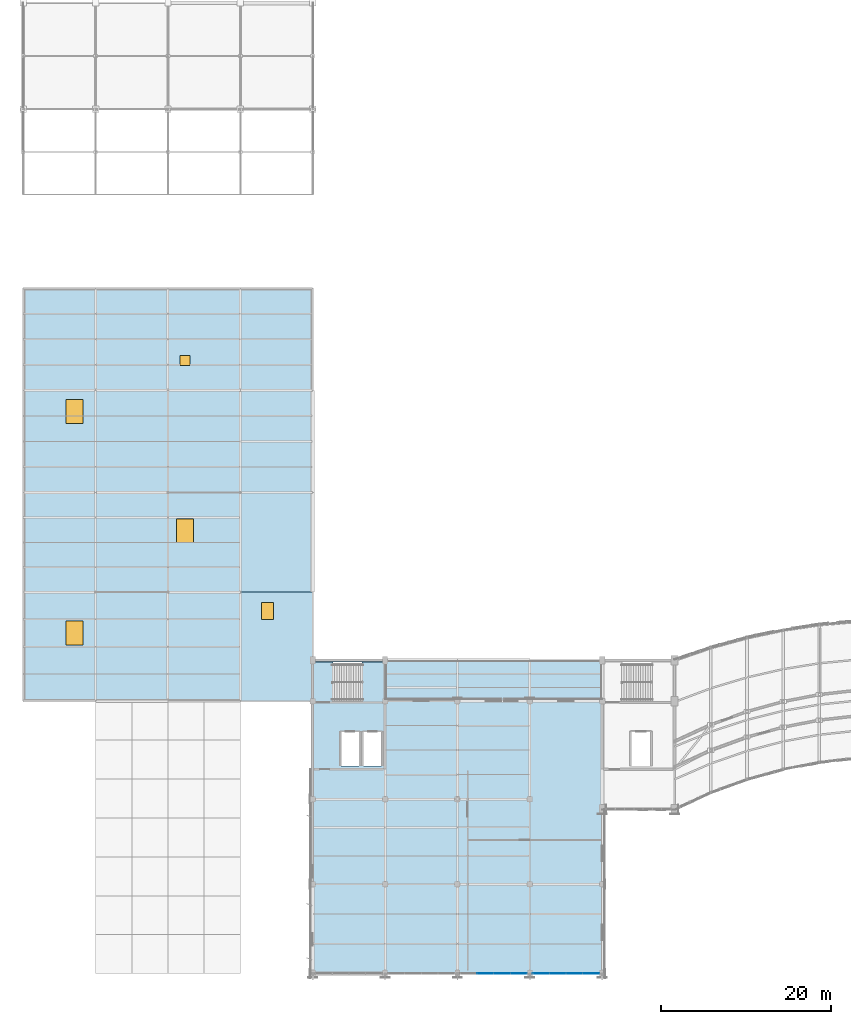
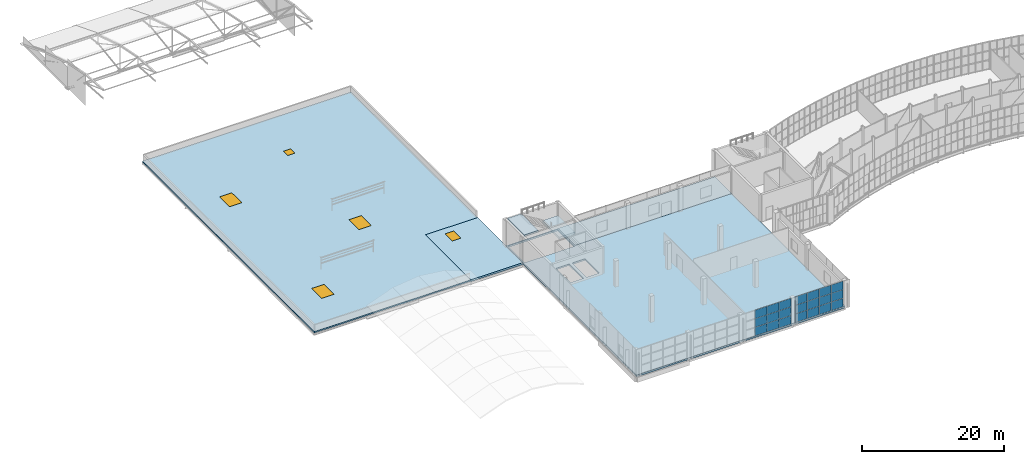
# One storey, part 41 of 66: 21 plates, 6 slabs, 5 windows, 5 openings, 3 elements without a shape of their own.
"""IFC4 building model written with IfcOpenShell, lengths in metres."""

from ifc_helpers import new_model, si_unit, direction, frame, origin, origin_2d, place, context, subcontext, project, spatial, polyline, rectangle, outline, extrude, material, layer, layer_set, type_object, element, fill, aggregate, save


model = new_model("IFC4")

# Units and contexts
model_context = context("Model", 3, precision=1e-05, world=origin(), true_north=direction((0.0, 1.0)))
body_context = subcontext(model_context, "Body", "Model", "MODEL_VIEW")
ifc_project = project(units=[si_unit("LENGTHUNIT", "METRE"), si_unit("AREAUNIT", "SQUARE_METRE"), si_unit("VOLUMEUNIT", "CUBIC_METRE"), si_unit("PLANEANGLEUNIT", "RADIAN"), si_unit("MASSUNIT", "GRAM", prefix="KILO")], contexts=[model_context])

# Site, building, storey
site_placement = place(None, origin())
site = spatial("IfcSite", under=ifc_project, at=site_placement, CompositionType="ELEMENT")
building_placement = place(site_placement, origin())
building = spatial("IfcBuilding", under=site, at=building_placement, Name="Solvikara Media Centre", CompositionType="ELEMENT")
storey_placement = place(building_placement, frame((0.0, 0.0, 19.800048828125)))
storey = spatial("IfcBuildingStorey", under=building, at=storey_placement, Name="L04", CompositionType="ELEMENT", Elevation=19.800048828125)

# Curtain wall, plates
ifc_material_1 = material(Name="Anodised aluminium EN AW-6063", Category="aluminium")
curtain_wall_type = type_object("IfcCurtainWallType", Name="CW-15", PredefinedType="NOTDEFINED", material=ifc_material_1)
curtain_wall_1_placement = place(storey_placement, origin())
curtain_wall_1 = element("IfcCurtainWall", 1, at=curtain_wall_1_placement, inside=storey, type_object=curtain_wall_type, Name="CW-L04-V6S-3", PredefinedType="NOTDEFINED")
ifc_material_2 = material(Name="Ceramic-fritted teal low-E glass", Category="glass")
ifc_layer_1 = layer(ifc_material_2, 0.0380859375)
ifc_layer_set_1 = layer_set([ifc_layer_1], Name="Ceramic-fritted teal low-E glass")
plate_type_1 = type_object("IfcPlateType", Name="PN-08", PredefinedType="CURTAIN_PANEL", material=ifc_layer_set_1)
plate_1_placement = place(storey_placement, frame((54.27197265625, 0.0, 1.521484375), z_axis=(0.0, 0.0, 1.0), x_axis=(1.0, 0.0, 0.0)))
plate_1 = element("IfcPlate", 2, at=plate_1_placement, type_object=plate_type_1, Name="CW-L04-V6S-3-P0101", PredefinedType="CURTAIN_PANEL", context=body_context, shape_type="SweptSolid", body=[
    extrude(rectangle(XDim=1.925048828125, YDim=0.0380859375, at=origin_2d()), origin(), (0.0, 0.0, 1.0), 1.45703125),
])
plate_2_placement = place(storey_placement, frame((56.22705078125, 0.0, 0.034423828125), z_axis=(0.0, 0.0, 1.0), x_axis=(1.0, 0.0, 0.0)))
plate_2 = element("IfcPlate", 3, at=plate_2_placement, type_object=plate_type_1, Name="CW-L04-V6S-3-P0200", PredefinedType="CURTAIN_PANEL", context=body_context, shape_type="SweptSolid", body=[
    extrude(rectangle(XDim=1.925048828125, YDim=0.0380859375, at=origin_2d()), origin(), (0.0, 0.0, 1.0), 1.45703125),
])
plate_3_placement = place(storey_placement, frame((56.22705078125, 0.0, 3.008544921875), z_axis=(0.0, 0.0, 1.0), x_axis=(1.0, 0.0, 0.0)))
plate_3 = element("IfcPlate", 4, at=plate_3_placement, type_object=plate_type_1, Name="CW-L04-V6S-3-P0202", PredefinedType="CURTAIN_PANEL", context=body_context, shape_type="SweptSolid", body=[
    extrude(rectangle(XDim=1.925048828125, YDim=0.0380859375, at=origin_2d()), origin(), (0.0, 0.0, 1.0), 1.45703125),
])
plate_4_placement = place(storey_placement, frame((58.181884765625, 0.0, 1.521484375), z_axis=(0.0, 0.0, 1.0), x_axis=(1.0, 0.0, 0.0)))
plate_4 = element("IfcPlate", 5, at=plate_4_placement, type_object=plate_type_1, Name="CW-L04-V6S-3-P0301", PredefinedType="CURTAIN_PANEL", context=body_context, shape_type="SweptSolid", body=[
    extrude(rectangle(XDim=1.925048828125, YDim=0.0380859375, at=origin_2d()), origin(), (0.0, 0.0, 1.0), 1.45703125),
])

curtain_wall_2_placement = place(storey_placement, origin())
curtain_wall_2 = element("IfcCurtainWall", 6, at=curtain_wall_2_placement, inside=storey, type_object=curtain_wall_type, Name="CW-L04-V6S-4", PredefinedType="NOTDEFINED")
plate_5_placement = place(storey_placement, frame((60.81689453125, 0.0, 0.034423828125), z_axis=(0.0, 0.0, 1.0), x_axis=(1.0, 0.0, 0.0)))
plate_5 = element("IfcPlate", 7, at=plate_5_placement, type_object=plate_type_1, Name="CW-L04-V6S-4-P0000", PredefinedType="CURTAIN_PANEL", context=body_context, shape_type="SweptSolid", body=[
    extrude(rectangle(XDim=1.925048828125, YDim=0.0380859375, at=origin_2d()), origin(), (0.0, 0.0, 1.0), 1.45703125),
])
plate_6_placement = place(storey_placement, frame((60.81689453125, 0.0, 3.008544921875), z_axis=(0.0, 0.0, 1.0), x_axis=(1.0, 0.0, 0.0)))
plate_6 = element("IfcPlate", 8, at=plate_6_placement, type_object=plate_type_1, Name="CW-L04-V6S-4-P0002", PredefinedType="CURTAIN_PANEL", context=body_context, shape_type="SweptSolid", body=[
    extrude(rectangle(XDim=1.925048828125, YDim=0.0380859375, at=origin_2d()), origin(), (0.0, 0.0, 1.0), 1.45703125),
])
plate_7_placement = place(storey_placement, frame((62.77197265625, 0.0, 1.521484375), z_axis=(0.0, 0.0, 1.0), x_axis=(1.0, 0.0, 0.0)))
plate_7 = element("IfcPlate", 9, at=plate_7_placement, type_object=plate_type_1, Name="CW-L04-V6S-4-P0101", PredefinedType="CURTAIN_PANEL", context=body_context, shape_type="SweptSolid", body=[
    extrude(rectangle(XDim=1.925048828125, YDim=0.0380859375, at=origin_2d()), origin(), (0.0, 0.0, 1.0), 1.45703125),
])
plate_8_placement = place(storey_placement, frame((64.72705078125, 0.0, 0.034423828125), z_axis=(0.0, 0.0, 1.0), x_axis=(1.0, 0.0, 0.0)))
plate_8 = element("IfcPlate", 10, at=plate_8_placement, type_object=plate_type_1, Name="CW-L04-V6S-4-P0200", PredefinedType="CURTAIN_PANEL", context=body_context, shape_type="SweptSolid", body=[
    extrude(rectangle(XDim=1.925048828125, YDim=0.0380859375, at=origin_2d()), origin(), (0.0, 0.0, 1.0), 1.45703125),
])
plate_9_placement = place(storey_placement, frame((64.72705078125, 0.0, 3.008544921875), z_axis=(0.0, 0.0, 1.0), x_axis=(1.0, 0.0, 0.0)))
plate_9 = element("IfcPlate", 11, at=plate_9_placement, type_object=plate_type_1, Name="CW-L04-V6S-4-P0202", PredefinedType="CURTAIN_PANEL", context=body_context, shape_type="SweptSolid", body=[
    extrude(rectangle(XDim=1.925048828125, YDim=0.0380859375, at=origin_2d()), origin(), (0.0, 0.0, 1.0), 1.45703125),
])
plate_10_placement = place(storey_placement, frame((66.681884765625, 0.0, 1.521484375), z_axis=(0.0, 0.0, 1.0), x_axis=(1.0, 0.0, 0.0)))
plate_10 = element("IfcPlate", 12, at=plate_10_placement, type_object=plate_type_1, Name="CW-L04-V6S-4-P0301", PredefinedType="CURTAIN_PANEL", context=body_context, shape_type="SweptSolid", body=[
    extrude(rectangle(XDim=1.925048828125, YDim=0.0380859375, at=origin_2d()), origin(), (0.0, 0.0, 1.0), 1.45703125),
])

# Plate
ifc_material_3 = material(Name="Insulated silver-pearl glass spandrel panel", Category="glass")
ifc_layer_2 = layer(ifc_material_3, 0.054931640625)
ifc_layer_set_2 = layer_set([ifc_layer_2], Name="Insulated silver-pearl glass spandrel panel")
plate_type_2 = type_object("IfcPlateType", Name="PN-09", PredefinedType="CURTAIN_PANEL", material=ifc_layer_set_2)
plate_11_placement = place(storey_placement, frame((54.27197265625, 0.0, 0.034423828125), z_axis=(0.0, 0.0, 1.0), x_axis=(1.0, 0.0, 0.0)))
plate_11 = element("IfcPlate", 13, at=plate_11_placement, type_object=plate_type_2, Name="CW-L04-V6S-3-P0100", PredefinedType="CURTAIN_PANEL", context=body_context, shape_type="SweptSolid", body=[
    extrude(rectangle(XDim=1.925048828125, YDim=0.054931640625, at=origin_2d()), origin(), (0.0, 0.0, 1.0), 1.45703125),
])

plate_12_placement = place(storey_placement, frame((54.27197265625, 0.0, 3.008544921875), z_axis=(0.0, 0.0, 1.0), x_axis=(1.0, 0.0, 0.0)))
plate_12 = element("IfcPlate", 14, at=plate_12_placement, type_object=plate_type_2, Name="CW-L04-V6S-3-P0102", PredefinedType="CURTAIN_PANEL", context=body_context, shape_type="SweptSolid", body=[
    extrude(rectangle(XDim=1.925048828125, YDim=0.054931640625, at=origin_2d()), origin(), (0.0, 0.0, 1.0), 1.45703125),
])

plate_13_placement = place(storey_placement, frame((56.22705078125, 0.0, 1.521484375), z_axis=(0.0, 0.0, 1.0), x_axis=(1.0, 0.0, 0.0)))
plate_13 = element("IfcPlate", 15, at=plate_13_placement, type_object=plate_type_2, Name="CW-L04-V6S-3-P0201", PredefinedType="CURTAIN_PANEL", context=body_context, shape_type="SweptSolid", body=[
    extrude(rectangle(XDim=1.925048828125, YDim=0.054931640625, at=origin_2d()), origin(), (0.0, 0.0, 1.0), 1.45703125),
])

plate_14_placement = place(storey_placement, frame((58.181884765625, 0.0, 0.034423828125), z_axis=(0.0, 0.0, 1.0), x_axis=(1.0, 0.0, 0.0)))
plate_14 = element("IfcPlate", 16, at=plate_14_placement, type_object=plate_type_2, Name="CW-L04-V6S-3-P0300", PredefinedType="CURTAIN_PANEL", context=body_context, shape_type="SweptSolid", body=[
    extrude(rectangle(XDim=1.925048828125, YDim=0.054931640625, at=origin_2d()), origin(), (0.0, 0.0, 1.0), 1.45703125),
])

plate_15_placement = place(storey_placement, frame((58.181884765625, 0.0, 3.008544921875), z_axis=(0.0, 0.0, 1.0), x_axis=(1.0, 0.0, 0.0)))
plate_15 = element("IfcPlate", 17, at=plate_15_placement, type_object=plate_type_2, Name="CW-L04-V6S-3-P0302", PredefinedType="CURTAIN_PANEL", context=body_context, shape_type="SweptSolid", body=[
    extrude(rectangle(XDim=1.925048828125, YDim=0.054931640625, at=origin_2d()), origin(), (0.0, 0.0, 1.0), 1.45703125),
])

aggregate(curtain_wall_1, [plate_11, plate_1, plate_12, plate_2, plate_13, plate_3, plate_14, plate_4, plate_15])

plate_16_placement = place(storey_placement, frame((60.81689453125, 0.0, 1.521484375), z_axis=(0.0, 0.0, 1.0), x_axis=(1.0, 0.0, 0.0)))
plate_16 = element("IfcPlate", 18, at=plate_16_placement, type_object=plate_type_2, Name="CW-L04-V6S-4-P0001", PredefinedType="CURTAIN_PANEL", context=body_context, shape_type="SweptSolid", body=[
    extrude(rectangle(XDim=1.925048828125, YDim=0.054931640625, at=origin_2d()), origin(), (0.0, 0.0, 1.0), 1.45703125),
])

plate_17_placement = place(storey_placement, frame((62.77197265625, 0.0, 0.034423828125), z_axis=(0.0, 0.0, 1.0), x_axis=(1.0, 0.0, 0.0)))
plate_17 = element("IfcPlate", 19, at=plate_17_placement, type_object=plate_type_2, Name="CW-L04-V6S-4-P0100", PredefinedType="CURTAIN_PANEL", context=body_context, shape_type="SweptSolid", body=[
    extrude(rectangle(XDim=1.925048828125, YDim=0.054931640625, at=origin_2d()), origin(), (0.0, 0.0, 1.0), 1.45703125),
])

plate_18_placement = place(storey_placement, frame((62.77197265625, 0.0, 3.008544921875), z_axis=(0.0, 0.0, 1.0), x_axis=(1.0, 0.0, 0.0)))
plate_18 = element("IfcPlate", 20, at=plate_18_placement, type_object=plate_type_2, Name="CW-L04-V6S-4-P0102", PredefinedType="CURTAIN_PANEL", context=body_context, shape_type="SweptSolid", body=[
    extrude(rectangle(XDim=1.925048828125, YDim=0.054931640625, at=origin_2d()), origin(), (0.0, 0.0, 1.0), 1.45703125),
])

plate_19_placement = place(storey_placement, frame((64.72705078125, 0.0, 1.521484375), z_axis=(0.0, 0.0, 1.0), x_axis=(1.0, 0.0, 0.0)))
plate_19 = element("IfcPlate", 21, at=plate_19_placement, type_object=plate_type_2, Name="CW-L04-V6S-4-P0201", PredefinedType="CURTAIN_PANEL", context=body_context, shape_type="SweptSolid", body=[
    extrude(rectangle(XDim=1.925048828125, YDim=0.054931640625, at=origin_2d()), origin(), (0.0, 0.0, 1.0), 1.45703125),
])

plate_20_placement = place(storey_placement, frame((66.681884765625, 0.0, 0.034423828125), z_axis=(0.0, 0.0, 1.0), x_axis=(1.0, 0.0, 0.0)))
plate_20 = element("IfcPlate", 22, at=plate_20_placement, type_object=plate_type_2, Name="CW-L04-V6S-4-P0300", PredefinedType="CURTAIN_PANEL", context=body_context, shape_type="SweptSolid", body=[
    extrude(rectangle(XDim=1.925048828125, YDim=0.054931640625, at=origin_2d()), origin(), (0.0, 0.0, 1.0), 1.45703125),
])

plate_21_placement = place(storey_placement, frame((66.681884765625, 0.0, 3.008544921875), z_axis=(0.0, 0.0, 1.0), x_axis=(1.0, 0.0, 0.0)))
plate_21 = element("IfcPlate", 23, at=plate_21_placement, type_object=plate_type_2, Name="CW-L04-V6S-4-P0302", PredefinedType="CURTAIN_PANEL", context=body_context, shape_type="SweptSolid", body=[
    extrude(rectangle(XDim=1.925048828125, YDim=0.054931640625, at=origin_2d()), origin(), (0.0, 0.0, 1.0), 1.45703125),
])

aggregate(curtain_wall_2, [plate_5, plate_16, plate_6, plate_17, plate_7, plate_18, plate_8, plate_19, plate_9, plate_20, plate_10, plate_21])

# Slabs
ifc_material_4 = material(Name="Concrete fc' 35 MPa (C35/45)", Category="concrete")
ifc_layer_3 = layer(ifc_material_4, 0.280029296875)
ifc_layer_set_3 = layer_set([ifc_layer_3], Name="Concrete fc' 35 MPa (C35/45)")
slab_type_1 = type_object("IfcSlabType", Name="ST-05", PredefinedType="FLOOR", material=ifc_layer_set_3)
slab_1_placement = place(storey_placement, frame((0.0, 0.0, -0.280029296875)))
element("IfcSlab", 24, at=slab_1_placement, inside=storey, type_object=slab_type_1, Name="SL-L04-V6", PredefinedType="FLOOR", context=body_context, shape_type="SweptSolid", body=[
    extrude(outline(polyline([(34.0, 0.0), (68.0, 0.0), (68.0, 32.0), (42.5, 32.0), (42.5, 36.800048828125), (34.0, 36.800048828125), (34.0, 0.0)]), holes=[polyline([(34.179931640625, 31.85009765625), (42.320068359375, 31.85009765625), (42.320068359375, 36.6201171875), (34.179931640625, 36.6201171875), (34.179931640625, 31.85009765625)]), polyline([(37.35009765625, 24.39990234375), (39.449951171875, 24.39990234375), (39.449951171875, 28.449951171875), (37.35009765625, 28.449951171875), (37.35009765625, 24.39990234375)]), polyline([(39.949951171875, 24.39990234375), (42.050048828125, 24.39990234375), (42.050048828125, 28.449951171875), (39.949951171875, 28.449951171875), (39.949951171875, 24.39990234375)])]), origin(), (0.0, 0.0, 1.0), 0.280029296875),
])
ifc_layer_4 = layer(ifc_material_4, 0.27001953125)
ifc_layer_set_4 = layer_set([ifc_layer_4], Name="Concrete fc' 35 MPa (C35/45)")
slab_type_2 = type_object("IfcSlabType", Name="ST-11", PredefinedType="FLOOR", material=ifc_layer_set_4)
slab_2_placement = place(storey_placement, frame((0.0, 0.0, -0.27001953125)))
element("IfcSlab", 25, at=slab_2_placement, inside=storey, type_object=slab_type_2, Name="TER-L04-V6N", PredefinedType="FLOOR", context=body_context, shape_type="SweptSolid", body=[
    extrude(outline(polyline([(42.5, 32.0), (68.0, 32.0), (68.0, 36.800048828125), (42.5, 36.800048828125), (42.5, 32.0)])), origin(), (0.0, 0.0, 1.0), 0.27001953125),
])

# Slab, openings, windows
ifc_layer_5 = layer(ifc_material_4, 0.22998046875)
ifc_layer_set_5 = layer_set([ifc_layer_5], Name="Concrete fc' 35 MPa (C35/45)")
slab_type_3 = type_object("IfcSlabType", Name="ST-13", PredefinedType="ROOF", material=ifc_layer_set_5)
slab_3_placement = place(storey_placement, frame((0.0, 0.0, -0.22998046875)))
slab_3 = element("IfcSlab", 26, at=slab_3_placement, inside=storey, type_object=slab_type_3, Name="SL-L04-V4RF", PredefinedType="ROOF", context=body_context, shape_type="SweptSolid", body=[
    extrude(outline(polyline([(0.0, 32.0), (25.5, 32.0), (25.5, 44.800048828125), (34.0, 44.800048828125), (34.0, 80.5), (0.0, 80.5), (0.0, 32.0)])), origin(), (0.0, 0.0, 1.0), 0.22998046875),
])
opening_1_placement = place(slab_3_placement, frame((6.0, 40.0, -0.011962890625)))
opening_1 = element("IfcOpeningElement", 27, at=opening_1_placement, cuts=slab_3, Name="Opening SK-V4RF-01", PredefinedType="OPENING", context=body_context, shape_type="SweptSolid", body=[
    extrude(rectangle(XDim=2.0, YDim=2.800048828125, at=origin_2d()), origin(), (0.0, 0.0, 1.0), 0.25390625),
])
opening_2_placement = place(slab_3_placement, frame((19.0, 52.0, -0.011962890625)))
opening_2 = element("IfcOpeningElement", 28, at=opening_2_placement, cuts=slab_3, Name="Opening SK-V4RF-02", PredefinedType="OPENING", context=body_context, shape_type="SweptSolid", body=[
    extrude(rectangle(XDim=2.0, YDim=2.800048828125, at=origin_2d()), origin(), (0.0, 0.0, 1.0), 0.25390625),
])
opening_3_placement = place(slab_3_placement, frame((6.0, 66.0, -0.011962890625)))
opening_3 = element("IfcOpeningElement", 29, at=opening_3_placement, cuts=slab_3, Name="Opening SK-V4RF-03", PredefinedType="OPENING", context=body_context, shape_type="SweptSolid", body=[
    extrude(rectangle(XDim=2.0, YDim=2.800048828125, at=origin_2d()), origin(), (0.0, 0.0, 1.0), 0.25390625),
])
opening_4_placement = place(slab_3_placement, frame((19.0, 72.0, -0.011962890625)))
opening_4 = element("IfcOpeningElement", 30, at=opening_4_placement, cuts=slab_3, Name="Opening SK-V4RF-04", PredefinedType="OPENING", context=body_context, shape_type="SweptSolid", body=[
    extrude(rectangle(XDim=1.199951171875, YDim=1.199951171875, at=origin_2d()), origin(), (0.0, 0.0, 1.0), 0.25390625),
])
ifc_material_5 = material(Name="Double-glazed low-E architectural glass", Category="glass")
window_type_1 = type_object("IfcWindowType", Name="SK-01", PartitioningType="SINGLE_PANEL", PredefinedType="SKYLIGHT", material=ifc_material_5)
window_1_placement = place(opening_4_placement, frame((0.0, 0.0, 0.19189453125)))
window_1 = element("IfcWindow", 31, at=window_1_placement, inside=storey, type_object=window_type_1, Name="SK-V4RF-04", OverallHeight=1.199951171875, OverallWidth=1.199951171875, PartitioningType="SINGLE_PANEL", PredefinedType="SKYLIGHT", context=body_context, shape_type="SweptSolid", body=[
    extrude(rectangle(XDim=1.199951171875, YDim=1.199951171875, at=origin_2d()), origin(), (0.0, 0.0, 1.0), 0.050048828125),
])
fill(opening_4, window_1)
window_type_2 = type_object("IfcWindowType", Name="SK-04", PartitioningType="SINGLE_PANEL", PredefinedType="SKYLIGHT", material=ifc_material_5)
window_2_placement = place(opening_1_placement, frame((0.0, 0.0, 0.19189453125)))
window_2 = element("IfcWindow", 32, at=window_2_placement, inside=storey, type_object=window_type_2, Name="SK-V4RF-01", OverallHeight=2.800048828125, OverallWidth=2.0, PartitioningType="SINGLE_PANEL", PredefinedType="SKYLIGHT", context=body_context, shape_type="SweptSolid", body=[
    extrude(rectangle(XDim=2.0, YDim=2.800048828125, at=origin_2d()), origin(), (0.0, 0.0, 1.0), 0.050048828125),
])
fill(opening_1, window_2)
window_3_placement = place(opening_2_placement, frame((0.0, 0.0, 0.19189453125)))
window_3 = element("IfcWindow", 33, at=window_3_placement, inside=storey, type_object=window_type_2, Name="SK-V4RF-02", OverallHeight=2.800048828125, OverallWidth=2.0, PartitioningType="SINGLE_PANEL", PredefinedType="SKYLIGHT", context=body_context, shape_type="SweptSolid", body=[
    extrude(rectangle(XDim=2.0, YDim=2.800048828125, at=origin_2d()), origin(), (0.0, 0.0, 1.0), 0.050048828125),
])
fill(opening_2, window_3)
window_4_placement = place(opening_3_placement, frame((0.0, 0.0, 0.19189453125)))
window_4 = element("IfcWindow", 34, at=window_4_placement, inside=storey, type_object=window_type_2, Name="SK-V4RF-03", OverallHeight=2.800048828125, OverallWidth=2.0, PartitioningType="SINGLE_PANEL", PredefinedType="SKYLIGHT", context=body_context, shape_type="SweptSolid", body=[
    extrude(rectangle(XDim=2.0, YDim=2.800048828125, at=origin_2d()), origin(), (0.0, 0.0, 1.0), 0.050048828125),
])
fill(opening_3, window_4)

# Slab, opening, window
ifc_layer_6 = layer(ifc_material_4, 0.31005859375)
ifc_layer_set_6 = layer_set([ifc_layer_6], Name="Concrete fc' 35 MPa (C35/45)")
slab_type_4 = type_object("IfcSlabType", Name="ST-14", PredefinedType="ROOF", material=ifc_layer_set_6)
slab_4_placement = place(storey_placement, frame((0.0, 0.0, -0.31005859375)))
slab_4 = element("IfcSlab", 35, at=slab_4_placement, inside=storey, type_object=slab_type_4, Name="SL-ROOF-C1", PredefinedType="ROOF", context=body_context, shape_type="SweptSolid", body=[
    extrude(outline(polyline([(25.5, 32.0), (34.0, 32.0), (34.0, 44.800048828125), (25.5, 44.800048828125), (25.5, 32.0)])), origin(), (0.0, 0.0, 1.0), 0.31005859375),
])
opening_5_placement = place(slab_4_placement, frame((28.699951171875, 42.60009765625, -0.011962890625)))
opening_5 = element("IfcOpeningElement", 36, at=opening_5_placement, cuts=slab_4, Name="Opening SK-C1-TOP", PredefinedType="OPENING", context=body_context, shape_type="SweptSolid", body=[
    extrude(rectangle(XDim=1.39990234375, YDim=2.0, at=origin_2d()), origin(), (0.0, 0.0, 1.0), 0.333984375),
])
window_type_3 = type_object("IfcWindowType", Name="SK-05", PartitioningType="SINGLE_PANEL", PredefinedType="SKYLIGHT", material=ifc_material_5)
window_5_placement = place(opening_5_placement, frame((0.0, 0.0, 0.27197265625)))
window_5 = element("IfcWindow", 37, at=window_5_placement, inside=storey, type_object=window_type_3, Name="SK-C1-TOP", OverallHeight=2.0, OverallWidth=1.39990234375, PartitioningType="SINGLE_PANEL", PredefinedType="SKYLIGHT", context=body_context, shape_type="SweptSolid", body=[
    extrude(rectangle(XDim=1.39990234375, YDim=2.0, at=origin_2d()), origin(), (0.0, 0.0, 1.0), 0.050048828125),
])
fill(opening_5, window_5)

# Stair, slabs
stair_type = type_object("IfcStairType", Name="SR-03", PredefinedType="HALF_TURN_STAIR", material=ifc_material_4)
stair_placement = place(storey_placement, origin())
stair = element("IfcStair", 38, at=stair_placement, inside=storey, type_object=stair_type, Name="ST-C2-L04", PredefinedType="HALF_TURN_STAIR")
ifc_layer_7 = layer(ifc_material_4, 0.330078125)
ifc_layer_set_7 = layer_set([ifc_layer_7], Name="Concrete fc' 35 MPa (C35/45)")
slab_type_5 = type_object("IfcSlabType", Name="ST-15", PredefinedType="LANDING", material=ifc_layer_set_7)
slab_5_placement = place(storey_placement, frame((0.0, 0.0, 2.070068359375)))
slab_5 = element("IfcSlab", 39, at=slab_5_placement, type_object=slab_type_5, Name="ST-C2-L04-LND", PredefinedType="LANDING", context=body_context, shape_type="SweptSolid", body=[
    extrude(outline(polyline([(39.800048828125, 31.85009765625), (42.3798828125, 31.85009765625), (42.3798828125, 36.6201171875), (39.800048828125, 36.6201171875), (39.800048828125, 31.85009765625)])), origin(), (0.0, 0.0, 1.0), 0.329833984375),
])
slab_6_placement = place(storey_placement, frame((0.0, 0.0, 4.469970703125)))
slab_6 = element("IfcSlab", 40, at=slab_6_placement, type_object=slab_type_5, Name="ST-C2-L04-ARR", PredefinedType="LANDING", context=body_context, shape_type="SweptSolid", body=[
    extrude(outline(polyline([(34.1201171875, 31.85009765625), (36.39990234375, 31.85009765625), (36.39990234375, 36.6201171875), (34.1201171875, 36.6201171875), (34.1201171875, 31.85009765625)])), origin(), (0.0, 0.0, 1.0), 0.330078125),
])
aggregate(stair, [slab_5, slab_6])

save(model, "model.ifc")
